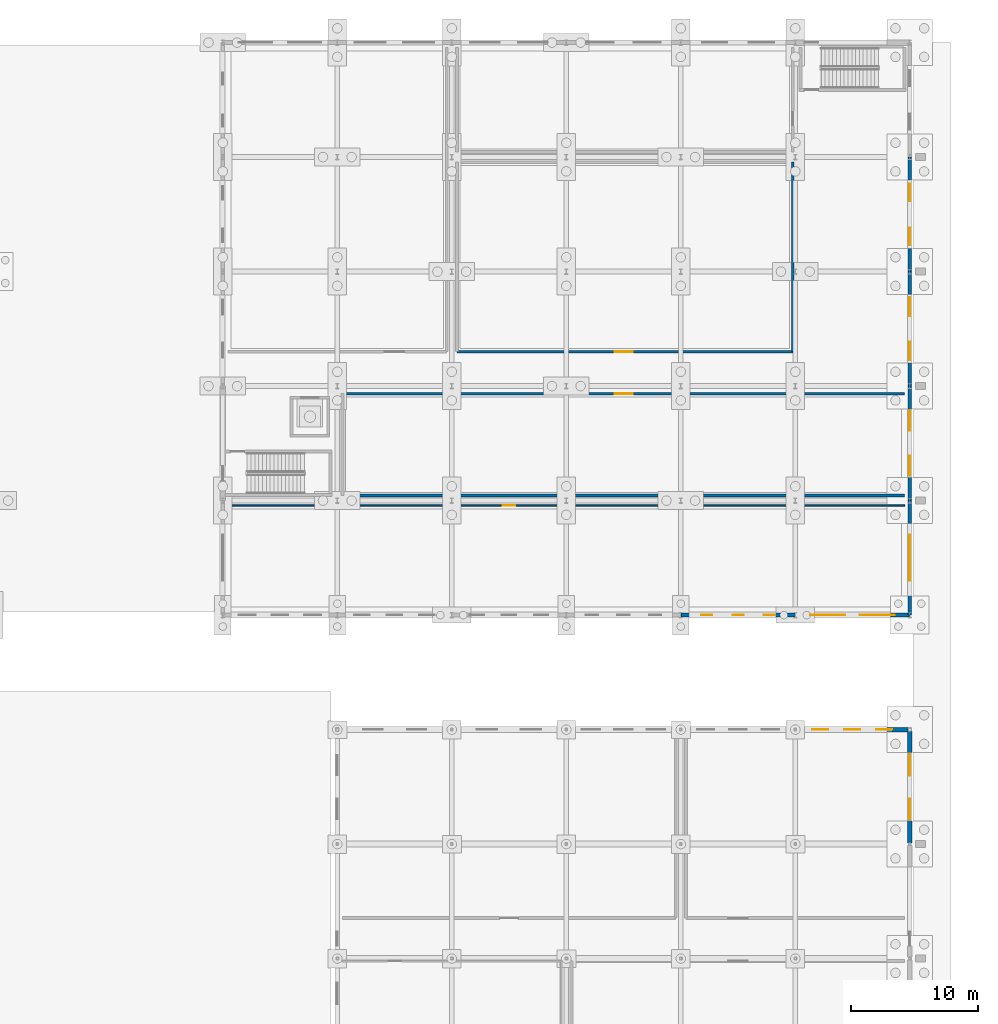
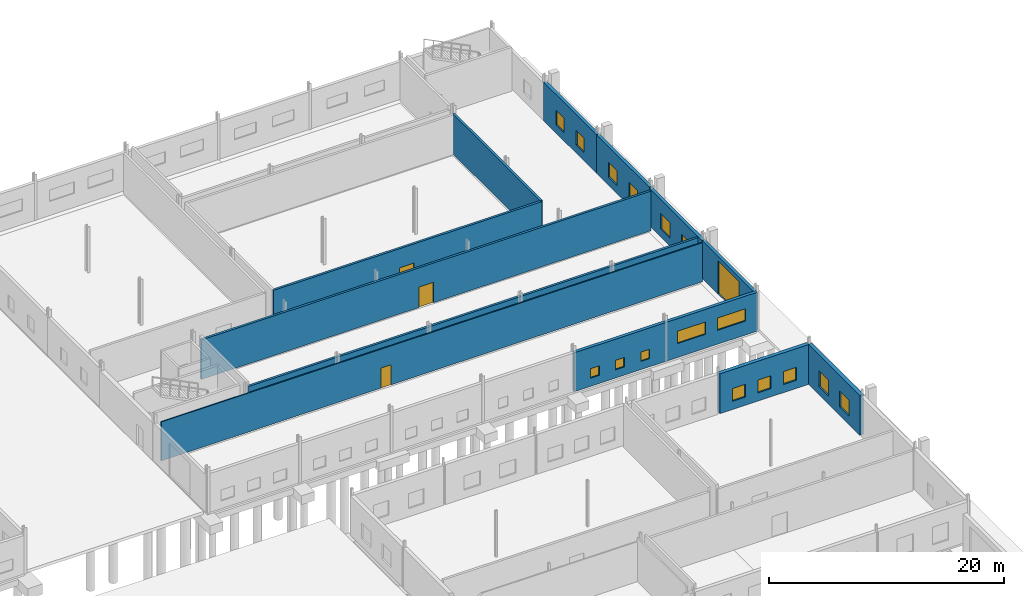
# One storey, part 82 of 112: 16 windows, 13 walls, 4 doors, 20 openings.
"""IFC4 building model written with IfcOpenShell, lengths in metres."""

from ifc_helpers import new_model, si_unit, direction, frame, frame_2d, origin, place, context, subcontext, project, spatial, rectangle, extrude, material, layer, layer_set, type_object, element, fill, save


model = new_model("IFC4")

# Units and contexts
model_context = context("Model", 3, precision=1e-05, world=origin(), true_north=direction((0.0, 1.0)))
body_context = subcontext(model_context, "Body", "Model", "MODEL_VIEW")
ifc_project = project(units=[si_unit("LENGTHUNIT", "METRE"), si_unit("AREAUNIT", "SQUARE_METRE"), si_unit("VOLUMEUNIT", "CUBIC_METRE"), si_unit("PLANEANGLEUNIT", "RADIAN"), si_unit("MASSUNIT", "GRAM", prefix="KILO")], contexts=[model_context])

# Site, building, storey
site_placement = place(None, origin())
site = spatial("IfcSite", under=ifc_project, at=site_placement, CompositionType="ELEMENT")
building_placement = place(site_placement, origin())
building = spatial("IfcBuilding", under=site, at=building_placement, Name="Tharagai Park Tramway Depot", CompositionType="ELEMENT")
storey_placement = place(building_placement, origin())
storey = spatial("IfcBuildingStorey", under=building, at=storey_placement, Name="L00", CompositionType="ELEMENT", Elevation=0.0)

# Wall, openings, windows
ifc_material_1 = material(Name="Concrete M35", Category="concrete")
ifc_layer_1 = layer(ifc_material_1, 0.360107421875)
ifc_layer_set_1 = layer_set([ifc_layer_1], Name="Concrete M35")
wall_type_1 = type_object("IfcWallType", Name="EW-03", PredefinedType="SOLIDWALL", material=ifc_layer_set_1)
wall_1_placement = place(storey_placement, frame((207.095947265625, 81.0, 0.0), z_axis=(0.0, 0.0, 1.0), x_axis=(1.0, 0.0, 0.0)))
wall_1 = element("IfcWall", 1, at=wall_1_placement, inside=storey, type_object=wall_type_1, Name="L00 V6 Exterior Masonry Wall EW-03", PredefinedType="SOLIDWALL", context=body_context, shape_type="SweptSolid", body=[
    extrude(rectangle(XDim=8.77294921875, YDim=0.360107421875, at=frame_2d((4.386474609375, 0.0))), origin(), (0.0, 0.0, 1.0), 4.14208984375),
])
opening_1_placement = place(wall_1_placement, frame((1.23291015625, 0.0, 0.85009765625)))
opening_1 = element("IfcOpeningElement", 2, at=opening_1_placement, cuts=wall_1, Name="Opening WN-43", PredefinedType="OPENING", context=body_context, shape_type="SweptSolid", body=[
    extrude(rectangle(XDim=1.280029296875, YDim=1.340087890625, at=frame_2d((0.64013671875, 0.669921875))), frame((0.0, 0.18994140625, 0.0), z_axis=(0.0, -1.0, 0.0), x_axis=(1.0, 0.0, 0.0)), (0.0, 0.0, 1.0), 0.380126953125),
])
opening_2_placement = place(wall_1_placement, frame((3.74609375, 0.0, 0.85009765625)))
opening_2 = element("IfcOpeningElement", 3, at=opening_2_placement, cuts=wall_1, Name="Opening WN-43", PredefinedType="OPENING", context=body_context, shape_type="SweptSolid", body=[
    extrude(rectangle(XDim=1.280029296875, YDim=1.340087890625, at=frame_2d((0.64013671875, 0.669921875))), frame((0.0, 0.18994140625, 0.0), z_axis=(0.0, -1.0, 0.0), x_axis=(1.0, 0.0, 0.0)), (0.0, 0.0, 1.0), 0.380126953125),
])
opening_3_placement = place(wall_1_placement, frame((6.260009765625, 0.0, 0.85009765625)))
opening_3 = element("IfcOpeningElement", 4, at=opening_3_placement, cuts=wall_1, Name="Opening WN-43", PredefinedType="OPENING", context=body_context, shape_type="SweptSolid", body=[
    extrude(rectangle(XDim=1.280029296875, YDim=1.340087890625, at=frame_2d((0.64013671875, 0.669921875))), frame((0.0, 0.18994140625, 0.0), z_axis=(0.0, -1.0, 0.0), x_axis=(1.0, 0.0, 0.0)), (0.0, 0.0, 1.0), 0.380126953125),
])
ifc_material_2 = material(Name="Laminated solar-control glass", Category="glass")
window_type_1 = type_object("IfcWindowType", Name="WN-43", PartitioningType="SINGLE_PANEL", PredefinedType="WINDOW", material=ifc_material_2)
window_1_placement = place(opening_1_placement, origin())
window_1 = element("IfcWindow", 5, at=window_1_placement, inside=storey, type_object=window_type_1, Name="L00 V6 Gothic Lancet Window WN-43", OverallHeight=1.340087890625, OverallWidth=1.280029296875, PartitioningType="SINGLE_PANEL", PredefinedType="WINDOW", context=body_context, shape_type="SweptSolid", body=[
    extrude(rectangle(XDim=1.280029296875, YDim=1.340087890625, at=frame_2d((0.64013671875, 0.669921875))), frame((0.0, 0.030029296875, 0.0), z_axis=(0.0, -1.0, 0.0), x_axis=(1.0, 0.0, 0.0)), (0.0, 0.0, 1.0), 0.06005859375),
])
fill(opening_1, window_1)
window_2_placement = place(opening_2_placement, origin())
window_2 = element("IfcWindow", 6, at=window_2_placement, inside=storey, type_object=window_type_1, Name="L00 V6 Gothic Lancet Window WN-43", OverallHeight=1.340087890625, OverallWidth=1.280029296875, PartitioningType="SINGLE_PANEL", PredefinedType="WINDOW", context=body_context, shape_type="SweptSolid", body=[
    extrude(rectangle(XDim=1.280029296875, YDim=1.340087890625, at=frame_2d((0.64013671875, 0.669921875))), frame((0.0, 0.030029296875, 0.0), z_axis=(0.0, -1.0, 0.0), x_axis=(1.0, 0.0, 0.0)), (0.0, 0.0, 1.0), 0.06005859375),
])
fill(opening_2, window_2)
window_3_placement = place(opening_3_placement, origin())
window_3 = element("IfcWindow", 7, at=window_3_placement, inside=storey, type_object=window_type_1, Name="L00 V6 Gothic Lancet Window WN-43", OverallHeight=1.340087890625, OverallWidth=1.280029296875, PartitioningType="SINGLE_PANEL", PredefinedType="WINDOW", context=body_context, shape_type="SweptSolid", body=[
    extrude(rectangle(XDim=1.280029296875, YDim=1.340087890625, at=frame_2d((0.64013671875, 0.669921875))), frame((0.0, 0.030029296875, 0.0), z_axis=(0.0, -1.0, 0.0), x_axis=(1.0, 0.0, 0.0)), (0.0, 0.0, 1.0), 0.06005859375),
])
fill(opening_3, window_3)

wall_2_placement = place(storey_placement, frame((216.0, 72.095947265625, 0.0), z_axis=(0.0, 0.0, 1.0), x_axis=(0.0, 1.0, 0.0)))
wall_2 = element("IfcWall", 8, at=wall_2_placement, inside=storey, type_object=wall_type_1, Name="L00 V6 Exterior Masonry Wall EW-03", PredefinedType="SOLIDWALL", context=body_context, shape_type="SweptSolid", body=[
    extrude(rectangle(XDim=8.77294921875, YDim=0.360107421875, at=frame_2d((4.386474609375, 0.0))), origin(), (0.0, 0.0, 1.0), 4.14208984375),
])
opening_4_placement = place(wall_2_placement, frame((1.803955078125, 0.0, 0.85009765625)))
opening_4 = element("IfcOpeningElement", 9, at=opening_4_placement, cuts=wall_2, Name="Opening WN-38", PredefinedType="OPENING", context=body_context, shape_type="SweptSolid", body=[
    extrude(rectangle(XDim=1.679931640625, YDim=1.659912109375, at=frame_2d((0.83984375, 0.830078125))), frame((0.0, 0.18994140625, 0.0), z_axis=(0.0, -1.0, 0.0), x_axis=(1.0, 0.0, 0.0)), (0.0, 0.0, 1.0), 0.380126953125),
])
opening_5_placement = place(wall_2_placement, frame((5.2890625, 0.0, 0.85009765625)))
opening_5 = element("IfcOpeningElement", 10, at=opening_5_placement, cuts=wall_2, Name="Opening WN-38", PredefinedType="OPENING", context=body_context, shape_type="SweptSolid", body=[
    extrude(rectangle(XDim=1.679931640625, YDim=1.659912109375, at=frame_2d((0.83984375, 0.830078125))), frame((0.0, 0.18994140625, 0.0), z_axis=(0.0, -1.0, 0.0), x_axis=(1.0, 0.0, 0.0)), (0.0, 0.0, 1.0), 0.380126953125),
])
window_type_2 = type_object("IfcWindowType", Name="WN-38", PartitioningType="SINGLE_PANEL", PredefinedType="WINDOW", material=ifc_material_2)
window_4_placement = place(opening_4_placement, origin())
window_4 = element("IfcWindow", 11, at=window_4_placement, inside=storey, type_object=window_type_2, Name="L00 V6 Side Lancet Window WN-38", OverallHeight=1.659912109375, OverallWidth=1.679931640625, PartitioningType="SINGLE_PANEL", PredefinedType="WINDOW", context=body_context, shape_type="SweptSolid", body=[
    extrude(rectangle(XDim=1.679931640625, YDim=1.659912109375, at=frame_2d((0.83984375, 0.830078125))), frame((0.0, 0.030029296875, 0.0), z_axis=(0.0, -1.0, 0.0), x_axis=(1.0, 0.0, 0.0)), (0.0, 0.0, 1.0), 0.06005859375),
])
fill(opening_4, window_4)
window_5_placement = place(opening_5_placement, origin())
window_5 = element("IfcWindow", 12, at=window_5_placement, inside=storey, type_object=window_type_2, Name="L00 V6 Side Lancet Window WN-38", OverallHeight=1.659912109375, OverallWidth=1.679931640625, PartitioningType="SINGLE_PANEL", PredefinedType="WINDOW", context=body_context, shape_type="SweptSolid", body=[
    extrude(rectangle(XDim=1.679931640625, YDim=1.659912109375, at=frame_2d((0.83984375, 0.830078125))), frame((0.0, 0.030029296875, 0.0), z_axis=(0.0, -1.0, 0.0), x_axis=(1.0, 0.0, 0.0)), (0.0, 0.0, 1.0), 0.06005859375),
])
fill(opening_5, window_5)

ifc_material_3 = material(Name="Pressed clay brick", Category="masonry")
ifc_layer_2 = layer(ifc_material_3, 0.300048828125)
ifc_layer_set_2 = layer_set([ifc_layer_2], Name="Pressed clay brick")
wall_type_2 = type_object("IfcWallType", Name="EW-08", PredefinedType="SOLIDWALL", material=ifc_layer_set_2)
wall_3_placement = place(storey_placement, frame((198.00390625, 90.0, 0.0), z_axis=(0.0, 0.0, 1.0), x_axis=(1.0, 0.0, 0.0)))
wall_3 = element("IfcWall", 13, at=wall_3_placement, inside=storey, type_object=wall_type_2, Name="L00 V3 Exterior Masonry Wall EW-08", PredefinedType="SOLIDWALL", context=body_context, shape_type="SweptSolid", body=[
    extrude(rectangle(XDim=8.9921875, YDim=0.300048828125, at=frame_2d((4.49609375, 0.0))), origin(), (0.0, 0.0, 1.0), 4.0419921875),
])
opening_6_placement = place(wall_3_placement, frame((1.60302734375, 0.0, 0.85009765625)))
opening_6 = element("IfcOpeningElement", 14, at=opening_6_placement, cuts=wall_3, Name="Opening WN-06", PredefinedType="OPENING", context=body_context, shape_type="SweptSolid", body=[
    extrude(rectangle(XDim=0.860107421875, YDim=0.97998046875, at=frame_2d((0.43017578125, 0.489990234375))), frame((0.0, 0.159912109375, 0.0), z_axis=(0.0, -1.0, 0.0), x_axis=(1.0, 0.0, 0.0)), (0.0, 0.0, 1.0), 0.320068359375),
])
opening_7_placement = place(wall_3_placement, frame((4.06591796875, 0.0, 0.85009765625)))
opening_7 = element("IfcOpeningElement", 15, at=opening_7_placement, cuts=wall_3, Name="Opening WN-06", PredefinedType="OPENING", context=body_context, shape_type="SweptSolid", body=[
    extrude(rectangle(XDim=0.860107421875, YDim=0.97998046875, at=frame_2d((0.43017578125, 0.489990234375))), frame((0.0, 0.159912109375, 0.0), z_axis=(0.0, -1.0, 0.0), x_axis=(1.0, 0.0, 0.0)), (0.0, 0.0, 1.0), 0.320068359375),
])
opening_8_placement = place(wall_3_placement, frame((6.529052734375, 0.0, 0.85009765625)))
opening_8 = element("IfcOpeningElement", 16, at=opening_8_placement, cuts=wall_3, Name="Opening WN-06", PredefinedType="OPENING", context=body_context, shape_type="SweptSolid", body=[
    extrude(rectangle(XDim=0.860107421875, YDim=0.97998046875, at=frame_2d((0.43017578125, 0.489990234375))), frame((0.0, 0.159912109375, 0.0), z_axis=(0.0, -1.0, 0.0), x_axis=(1.0, 0.0, 0.0)), (0.0, 0.0, 1.0), 0.320068359375),
])
window_type_3 = type_object("IfcWindowType", Name="WN-06", PartitioningType="SINGLE_PANEL", PredefinedType="WINDOW", material=ifc_material_2)
window_6_placement = place(opening_6_placement, origin())
window_6 = element("IfcWindow", 17, at=window_6_placement, inside=storey, type_object=window_type_3, Name="L00 V3 Gothic Lancet Window WN-06", OverallHeight=0.97998046875, OverallWidth=0.860107421875, PartitioningType="SINGLE_PANEL", PredefinedType="WINDOW", context=body_context, shape_type="SweptSolid", body=[
    extrude(rectangle(XDim=0.860107421875, YDim=0.97998046875, at=frame_2d((0.43017578125, 0.489990234375))), frame((0.0, 0.030029296875, 0.0), z_axis=(0.0, -1.0, 0.0), x_axis=(1.0, 0.0, 0.0)), (0.0, 0.0, 1.0), 0.06005859375),
])
fill(opening_6, window_6)
window_7_placement = place(opening_7_placement, origin())
window_7 = element("IfcWindow", 18, at=window_7_placement, inside=storey, type_object=window_type_3, Name="L00 V3 Gothic Lancet Window WN-06", OverallHeight=0.97998046875, OverallWidth=0.860107421875, PartitioningType="SINGLE_PANEL", PredefinedType="WINDOW", context=body_context, shape_type="SweptSolid", body=[
    extrude(rectangle(XDim=0.860107421875, YDim=0.97998046875, at=frame_2d((0.43017578125, 0.489990234375))), frame((0.0, 0.030029296875, 0.0), z_axis=(0.0, -1.0, 0.0), x_axis=(1.0, 0.0, 0.0)), (0.0, 0.0, 1.0), 0.06005859375),
])
fill(opening_7, window_7)
window_8_placement = place(opening_8_placement, origin())
window_8 = element("IfcWindow", 19, at=window_8_placement, inside=storey, type_object=window_type_3, Name="L00 V3 Gothic Lancet Window WN-06", OverallHeight=0.97998046875, OverallWidth=0.860107421875, PartitioningType="SINGLE_PANEL", PredefinedType="WINDOW", context=body_context, shape_type="SweptSolid", body=[
    extrude(rectangle(XDim=0.860107421875, YDim=0.97998046875, at=frame_2d((0.43017578125, 0.489990234375))), frame((0.0, 0.030029296875, 0.0), z_axis=(0.0, -1.0, 0.0), x_axis=(1.0, 0.0, 0.0)), (0.0, 0.0, 1.0), 0.06005859375),
])
fill(opening_8, window_8)

wall_4_placement = place(storey_placement, frame((207.00390625, 90.0, 0.0), z_axis=(0.0, 0.0, 1.0), x_axis=(1.0, 0.0, 0.0)))
wall_4 = element("IfcWall", 20, at=wall_4_placement, inside=storey, type_object=wall_type_2, Name="L00 V3 Exterior Masonry Wall EW-08", PredefinedType="SOLIDWALL", context=body_context, shape_type="SweptSolid", body=[
    extrude(rectangle(XDim=8.9921875, YDim=0.300048828125, at=frame_2d((4.49609375, 0.0))), origin(), (0.0, 0.0, 1.0), 4.0419921875),
])
opening_9_placement = place(wall_4_placement, frame((1.1640625, 0.0, 1.449951171875)))
opening_9 = element("IfcOpeningElement", 21, at=opening_9_placement, cuts=wall_4, Name="Opening WN-40", PredefinedType="OPENING", context=body_context, shape_type="SweptSolid", body=[
    extrude(rectangle(XDim=2.75, YDim=1.280029296875, at=frame_2d((1.375, 0.64013671875))), frame((0.0, 0.159912109375, 0.0), z_axis=(0.0, -1.0, 0.0), x_axis=(1.0, 0.0, 0.0)), (0.0, 0.0, 1.0), 0.320068359375),
])
opening_10_placement = place(wall_4_placement, frame((5.077880859375, 0.0, 1.449951171875)))
opening_10 = element("IfcOpeningElement", 22, at=opening_10_placement, cuts=wall_4, Name="Opening WN-40", PredefinedType="OPENING", context=body_context, shape_type="SweptSolid", body=[
    extrude(rectangle(XDim=2.75, YDim=1.280029296875, at=frame_2d((1.375, 0.64013671875))), frame((0.0, 0.159912109375, 0.0), z_axis=(0.0, -1.0, 0.0), x_axis=(1.0, 0.0, 0.0)), (0.0, 0.0, 1.0), 0.320068359375),
])
window_type_4 = type_object("IfcWindowType", Name="WN-40", PartitioningType="SINGLE_PANEL", PredefinedType="WINDOW", material=ifc_material_2)
window_9_placement = place(opening_9_placement, origin())
window_9 = element("IfcWindow", 23, at=window_9_placement, inside=storey, type_object=window_type_4, Name="L00 V3 Gothic Lancet Window WN-40", OverallHeight=1.280029296875, OverallWidth=2.75, PartitioningType="SINGLE_PANEL", PredefinedType="WINDOW", context=body_context, shape_type="SweptSolid", body=[
    extrude(rectangle(XDim=2.75, YDim=1.280029296875, at=frame_2d((1.375, 0.64013671875))), frame((0.0, 0.030029296875, 0.0), z_axis=(0.0, -1.0, 0.0), x_axis=(1.0, 0.0, 0.0)), (0.0, 0.0, 1.0), 0.06005859375),
])
fill(opening_9, window_9)
window_10_placement = place(opening_10_placement, origin())
window_10 = element("IfcWindow", 24, at=window_10_placement, inside=storey, type_object=window_type_4, Name="L00 V3 Gothic Lancet Window WN-40", OverallHeight=1.280029296875, OverallWidth=2.75, PartitioningType="SINGLE_PANEL", PredefinedType="WINDOW", context=body_context, shape_type="SweptSolid", body=[
    extrude(rectangle(XDim=2.75, YDim=1.280029296875, at=frame_2d((1.375, 0.64013671875))), frame((0.0, 0.030029296875, 0.0), z_axis=(0.0, -1.0, 0.0), x_axis=(1.0, 0.0, 0.0)), (0.0, 0.0, 1.0), 0.06005859375),
])
fill(opening_10, window_10)

# Wall, opening, door
wall_5_placement = place(storey_placement, frame((216.0, 90.00390625, 0.0), z_axis=(0.0, 0.0, 1.0), x_axis=(0.0, 1.0, 0.0)))
wall_5 = element("IfcWall", 25, at=wall_5_placement, inside=storey, type_object=wall_type_2, Name="L00 V3 Exterior Masonry Wall EW-08", PredefinedType="SOLIDWALL", context=body_context, shape_type="SweptSolid", body=[
    extrude(rectangle(XDim=8.9921875, YDim=0.300048828125, at=frame_2d((4.49609375, 0.0))), origin(), (0.0, 0.0, 1.0), 3.912109375),
])
opening_11_placement = place(wall_5_placement, frame((2.696044921875, 0.0, 0.0)))
opening_11 = element("IfcOpeningElement", 26, at=opening_11_placement, cuts=wall_5, Name="Opening VG-02", PredefinedType="OPENING", context=body_context, shape_type="SweptSolid", body=[
    extrude(rectangle(XDim=3.60009765625, YDim=3.449951171875, at=frame_2d((1.800048828125, 1.72509765625))), frame((0.0, 0.159912109375, 0.0), z_axis=(0.0, -1.0, 0.0), x_axis=(1.0, 0.0, 0.0)), (0.0, 0.0, 1.0), 0.320068359375),
])
ifc_material_4 = material(Name="Galvanised steel", Category="steel")
door_type_1 = type_object("IfcDoorType", Name="VG-02", OperationType="ROLLINGUP", PredefinedType="GATE", material=ifc_material_4)
door_1_placement = place(opening_11_placement, frame((3.60009765625, 0.0, 0.0), z_axis=(0.0, 0.0, 1.0), x_axis=(-1.0, 0.0, 0.0)))
door_1 = element("IfcDoor", 27, at=door_1_placement, inside=storey, type_object=door_type_1, Name="V3 Rolling-Stock Shutter Gate VG-02", OperationType="ROLLINGUP", OverallHeight=3.449951171875, OverallWidth=3.60009765625, PredefinedType="GATE", context=body_context, shape_type="SweptSolid", body=[
    extrude(rectangle(XDim=3.60009765625, YDim=3.449951171875, at=frame_2d((1.800048828125, 1.72509765625))), frame((0.0, 0.02490234375, 0.0), z_axis=(0.0, -1.0, 0.0), x_axis=(1.0, 0.0, 0.0)), (0.0, 0.0, 1.0), 0.050048828125),
])
fill(opening_11, door_1)

# Wall, openings, windows
wall_6_placement = place(storey_placement, frame((216.0, 99.00390625, 0.0), z_axis=(0.0, 0.0, 1.0), x_axis=(0.0, 1.0, 0.0)))
wall_6 = element("IfcWall", 28, at=wall_6_placement, inside=storey, type_object=wall_type_2, Name="L00 V3 Exterior Masonry Wall EW-08", PredefinedType="SOLIDWALL", context=body_context, shape_type="SweptSolid", body=[
    extrude(rectangle(XDim=8.9921875, YDim=0.300048828125, at=frame_2d((4.49609375, 0.0))), origin(), (0.0, 0.0, 1.0), 3.912109375),
])
opening_12_placement = place(wall_6_placement, frame((1.944091796875, 0.0, 0.85009765625)))
opening_12 = element("IfcOpeningElement", 29, at=opening_12_placement, cuts=wall_6, Name="Opening WN-33", PredefinedType="OPENING", context=body_context, shape_type="SweptSolid", body=[
    extrude(rectangle(XDim=1.580078125, YDim=1.60009765625, at=frame_2d((0.7900390625, 0.800048828125))), frame((0.0, 0.159912109375, 0.0), z_axis=(0.0, -1.0, 0.0), x_axis=(1.0, 0.0, 0.0)), (0.0, 0.0, 1.0), 0.320068359375),
])
opening_13_placement = place(wall_6_placement, frame((5.468017578125, 0.0, 0.85009765625)))
opening_13 = element("IfcOpeningElement", 30, at=opening_13_placement, cuts=wall_6, Name="Opening WN-33", PredefinedType="OPENING", context=body_context, shape_type="SweptSolid", body=[
    extrude(rectangle(XDim=1.580078125, YDim=1.60009765625, at=frame_2d((0.7900390625, 0.800048828125))), frame((0.0, 0.159912109375, 0.0), z_axis=(0.0, -1.0, 0.0), x_axis=(1.0, 0.0, 0.0)), (0.0, 0.0, 1.0), 0.320068359375),
])
window_type_5 = type_object("IfcWindowType", Name="WN-33", PartitioningType="SINGLE_PANEL", PredefinedType="WINDOW", material=ifc_material_2)
window_11_placement = place(opening_12_placement, origin())
window_11 = element("IfcWindow", 31, at=window_11_placement, inside=storey, type_object=window_type_5, Name="L00 V3 Side Lancet Window WN-33", OverallHeight=1.60009765625, OverallWidth=1.580078125, PartitioningType="SINGLE_PANEL", PredefinedType="WINDOW", context=body_context, shape_type="SweptSolid", body=[
    extrude(rectangle(XDim=1.580078125, YDim=1.60009765625, at=frame_2d((0.7900390625, 0.800048828125))), frame((0.0, 0.030029296875, 0.0), z_axis=(0.0, -1.0, 0.0), x_axis=(1.0, 0.0, 0.0)), (0.0, 0.0, 1.0), 0.06005859375),
])
fill(opening_12, window_11)
window_12_placement = place(opening_13_placement, origin())
window_12 = element("IfcWindow", 32, at=window_12_placement, inside=storey, type_object=window_type_5, Name="L00 V3 Side Lancet Window WN-33", OverallHeight=1.60009765625, OverallWidth=1.580078125, PartitioningType="SINGLE_PANEL", PredefinedType="WINDOW", context=body_context, shape_type="SweptSolid", body=[
    extrude(rectangle(XDim=1.580078125, YDim=1.60009765625, at=frame_2d((0.7900390625, 0.800048828125))), frame((0.0, 0.030029296875, 0.0), z_axis=(0.0, -1.0, 0.0), x_axis=(1.0, 0.0, 0.0)), (0.0, 0.0, 1.0), 0.06005859375),
])
fill(opening_13, window_12)

wall_7_placement = place(storey_placement, frame((216.0, 108.00390625, 0.0), z_axis=(0.0, 0.0, 1.0), x_axis=(0.0, 1.0, 0.0)))
wall_7 = element("IfcWall", 33, at=wall_7_placement, inside=storey, type_object=wall_type_2, Name="L00 V3 Exterior Masonry Wall EW-08", PredefinedType="SOLIDWALL", context=body_context, shape_type="SweptSolid", body=[
    extrude(rectangle(XDim=8.9921875, YDim=0.300048828125, at=frame_2d((4.49609375, 0.0))), origin(), (0.0, 0.0, 1.0), 4.011962890625),
])
opening_14_placement = place(wall_7_placement, frame((2.010986328125, 0.0, 0.85009765625)))
opening_14 = element("IfcOpeningElement", 34, at=opening_14_placement, cuts=wall_7, Name="Opening WN-03", PredefinedType="OPENING", context=body_context, shape_type="SweptSolid", body=[
    extrude(rectangle(XDim=1.47998046875, YDim=1.56005859375, at=frame_2d((0.739990234375, 0.780029296875))), frame((0.0, 0.159912109375, 0.0), z_axis=(0.0, -1.0, 0.0), x_axis=(1.0, 0.0, 0.0)), (0.0, 0.0, 1.0), 0.320068359375),
])
opening_15_placement = place(wall_7_placement, frame((5.5009765625, 0.0, 0.85009765625)))
opening_15 = element("IfcOpeningElement", 35, at=opening_15_placement, cuts=wall_7, Name="Opening WN-03", PredefinedType="OPENING", context=body_context, shape_type="SweptSolid", body=[
    extrude(rectangle(XDim=1.47998046875, YDim=1.56005859375, at=frame_2d((0.739990234375, 0.780029296875))), frame((0.0, 0.159912109375, 0.0), z_axis=(0.0, -1.0, 0.0), x_axis=(1.0, 0.0, 0.0)), (0.0, 0.0, 1.0), 0.320068359375),
])
window_type_6 = type_object("IfcWindowType", Name="WN-03", PartitioningType="SINGLE_PANEL", PredefinedType="WINDOW", material=ifc_material_2)
window_13_placement = place(opening_14_placement, origin())
window_13 = element("IfcWindow", 36, at=window_13_placement, inside=storey, type_object=window_type_6, Name="L00 V3 Side Lancet Window WN-03", OverallHeight=1.56005859375, OverallWidth=1.47998046875, PartitioningType="SINGLE_PANEL", PredefinedType="WINDOW", context=body_context, shape_type="SweptSolid", body=[
    extrude(rectangle(XDim=1.47998046875, YDim=1.56005859375, at=frame_2d((0.739990234375, 0.780029296875))), frame((0.0, 0.030029296875, 0.0), z_axis=(0.0, -1.0, 0.0), x_axis=(1.0, 0.0, 0.0)), (0.0, 0.0, 1.0), 0.06005859375),
])
fill(opening_14, window_13)
window_14_placement = place(opening_15_placement, origin())
window_14 = element("IfcWindow", 37, at=window_14_placement, inside=storey, type_object=window_type_6, Name="L00 V3 Side Lancet Window WN-03", OverallHeight=1.56005859375, OverallWidth=1.47998046875, PartitioningType="SINGLE_PANEL", PredefinedType="WINDOW", context=body_context, shape_type="SweptSolid", body=[
    extrude(rectangle(XDim=1.47998046875, YDim=1.56005859375, at=frame_2d((0.739990234375, 0.780029296875))), frame((0.0, 0.030029296875, 0.0), z_axis=(0.0, -1.0, 0.0), x_axis=(1.0, 0.0, 0.0)), (0.0, 0.0, 1.0), 0.06005859375),
])
fill(opening_15, window_14)

wall_8_placement = place(storey_placement, frame((216.0, 117.00390625, 0.0), z_axis=(0.0, 0.0, 1.0), x_axis=(0.0, 1.0, 0.0)))
wall_8 = element("IfcWall", 38, at=wall_8_placement, inside=storey, type_object=wall_type_2, Name="L00 V3 Exterior Masonry Wall EW-08", PredefinedType="SOLIDWALL", context=body_context, shape_type="SweptSolid", body=[
    extrude(rectangle(XDim=8.9921875, YDim=0.300048828125, at=frame_2d((4.49609375, 0.0))), origin(), (0.0, 0.0, 1.0), 4.011962890625),
])
opening_16_placement = place(wall_8_placement, frame((2.076904296875, 0.0, 0.85009765625)))
opening_16 = element("IfcOpeningElement", 39, at=opening_16_placement, cuts=wall_8, Name="Opening WN-12", PredefinedType="OPENING", context=body_context, shape_type="SweptSolid", body=[
    extrude(rectangle(XDim=1.3798828125, YDim=1.52001953125, at=frame_2d((0.68994140625, 0.760009765625))), frame((0.0, 0.159912109375, 0.0), z_axis=(0.0, -1.0, 0.0), x_axis=(1.0, 0.0, 0.0)), (0.0, 0.0, 1.0), 0.320068359375),
])
opening_17_placement = place(wall_8_placement, frame((5.534912109375, 0.0, 0.85009765625)))
opening_17 = element("IfcOpeningElement", 40, at=opening_17_placement, cuts=wall_8, Name="Opening WN-12", PredefinedType="OPENING", context=body_context, shape_type="SweptSolid", body=[
    extrude(rectangle(XDim=1.3798828125, YDim=1.52001953125, at=frame_2d((0.68994140625, 0.760009765625))), frame((0.0, 0.159912109375, 0.0), z_axis=(0.0, -1.0, 0.0), x_axis=(1.0, 0.0, 0.0)), (0.0, 0.0, 1.0), 0.320068359375),
])
window_type_7 = type_object("IfcWindowType", Name="WN-12", PartitioningType="SINGLE_PANEL", PredefinedType="WINDOW", material=ifc_material_2)
window_15_placement = place(opening_16_placement, origin())
window_15 = element("IfcWindow", 41, at=window_15_placement, inside=storey, type_object=window_type_7, Name="L00 V3 Side Lancet Window WN-12", OverallHeight=1.52001953125, OverallWidth=1.3798828125, PartitioningType="SINGLE_PANEL", PredefinedType="WINDOW", context=body_context, shape_type="SweptSolid", body=[
    extrude(rectangle(XDim=1.3798828125, YDim=1.52001953125, at=frame_2d((0.68994140625, 0.760009765625))), frame((0.0, 0.030029296875, 0.0), z_axis=(0.0, -1.0, 0.0), x_axis=(1.0, 0.0, 0.0)), (0.0, 0.0, 1.0), 0.06005859375),
])
fill(opening_16, window_15)
window_16_placement = place(opening_17_placement, origin())
window_16 = element("IfcWindow", 42, at=window_16_placement, inside=storey, type_object=window_type_7, Name="L00 V3 Side Lancet Window WN-12", OverallHeight=1.52001953125, OverallWidth=1.3798828125, PartitioningType="SINGLE_PANEL", PredefinedType="WINDOW", context=body_context, shape_type="SweptSolid", body=[
    extrude(rectangle(XDim=1.3798828125, YDim=1.52001953125, at=frame_2d((0.68994140625, 0.760009765625))), frame((0.0, 0.030029296875, 0.0), z_axis=(0.0, -1.0, 0.0), x_axis=(1.0, 0.0, 0.0)), (0.0, 0.0, 1.0), 0.06005859375),
])
fill(opening_17, window_16)

# Wall, opening, door
ifc_material_5 = material(Name="Gypsum board", Category="gypsum")
ifc_layer_3 = layer(ifc_material_5, 0.1201171875)
ifc_layer_set_3 = layer_set([ifc_layer_3], Name="Gypsum board")
wall_type_3 = type_object("IfcWallType", Name="IW-03", PredefinedType="PARTITIONING", material=ifc_layer_set_3)
wall_9_placement = place(storey_placement, frame((162.39990234375, 98.60009765625, 0.0), z_axis=(0.0, 0.0, 1.0), x_axis=(1.0, 0.0, 0.0)))
wall_9 = element("IfcWall", 43, at=wall_9_placement, inside=storey, type_object=wall_type_3, Name="Automated Tram and Bus Washing Plant Partition North", PredefinedType="PARTITIONING", context=body_context, shape_type="SweptSolid", body=[
    extrude(rectangle(XDim=53.2001953125, YDim=0.1201171875, at=frame_2d((26.60009765625, 0.0))), origin(), (0.0, 0.0, 1.0), 4.044921875),
])
opening_18_placement = place(wall_9_placement, frame((21.610107421875, 0.0, 0.0)))
opening_18 = element("IfcOpeningElement", 44, at=opening_18_placement, cuts=wall_9, Name="Opening ID-02", PredefinedType="OPENING", context=body_context, shape_type="SweptSolid", body=[
    extrude(rectangle(XDim=0.97998046875, YDim=2.080078125, at=frame_2d((0.489990234375, 1.0400390625))), frame((0.0, 0.070068359375, 0.0), z_axis=(0.0, -1.0, 0.0), x_axis=(1.0, 0.0, 0.0)), (0.0, 0.0, 1.0), 0.14013671875),
])
ifc_material_6 = material(Name="Pressed timber", Category="wood")
door_type_2 = type_object("IfcDoorType", Name="ID-02", OperationType="NOTDEFINED", PredefinedType="DOOR", material=ifc_material_6)
door_2_placement = place(opening_18_placement, origin())
door_2 = element("IfcDoor", 45, at=door_2_placement, inside=storey, type_object=door_type_2, Name="Automated Tram and Bus Washing Plant Door", OperationType="SINGLE_SWING_LEFT", OverallHeight=2.080078125, OverallWidth=0.97998046875, PredefinedType="DOOR", context=body_context, shape_type="SweptSolid", body=[
    extrude(rectangle(XDim=0.97998046875, YDim=2.080078125, at=frame_2d((0.489990234375, 1.0400390625))), frame((0.0, 0.02490234375, 0.0), z_axis=(0.0, -1.0, 0.0), x_axis=(1.0, 0.0, 0.0)), (0.0, 0.0, 1.0), 0.050048828125),
])
fill(opening_18, door_2)

# Wall
ifc_layer_4 = layer(ifc_material_3, 0.219970703125)
ifc_layer_set_4 = layer_set([ifc_layer_4], Name="Pressed clay brick")
wall_type_4 = type_object("IfcWallType", Name="IW-05", PredefinedType="SOLIDWALL", material=ifc_layer_set_4)
wall_10_placement = place(storey_placement, frame((171.39990234375, 99.39990234375, 0.0), z_axis=(0.0, 0.0, 1.0), x_axis=(1.0, 0.0, 0.0)))
element("IfcWall", 46, at=wall_10_placement, inside=storey, type_object=wall_type_4, Name="Wash Booster Pump Room Partition South", PredefinedType="SOLIDWALL", context=body_context, shape_type="SweptSolid", body=[
    extrude(rectangle(XDim=44.2001953125, YDim=0.219970703125, at=frame_2d((22.10009765625, 0.0))), origin(), (0.0, 0.0, 1.0), 4.114990234375),
])

# Wall, opening, door
wall_11_placement = place(storey_placement, frame((171.39990234375, 107.39990234375, 0.0), z_axis=(0.0, 0.0, 1.0), x_axis=(1.0, 0.0, 0.0)))
wall_11 = element("IfcWall", 47, at=wall_11_placement, inside=storey, type_object=wall_type_4, Name="Wash Booster Pump Room Partition North", PredefinedType="SOLIDWALL", context=body_context, shape_type="SweptSolid", body=[
    extrude(rectangle(XDim=44.2001953125, YDim=0.219970703125, at=frame_2d((22.10009765625, 0.0))), origin(), (0.0, 0.0, 1.0), 4.114990234375),
])
opening_19_placement = place(wall_11_placement, frame((21.389892578125, 0.0, 0.0)))
opening_19 = element("IfcOpeningElement", 48, at=opening_19_placement, cuts=wall_11, Name="Opening ID-06", PredefinedType="OPENING", context=body_context, shape_type="SweptSolid", body=[
    extrude(rectangle(XDim=1.419921875, YDim=2.1201171875, at=frame_2d((0.7099609375, 1.06005859375))), frame((0.0, 0.119873046875, 0.0), z_axis=(0.0, -1.0, 0.0), x_axis=(1.0, 0.0, 0.0)), (0.0, 0.0, 1.0), 0.239990234375),
])
door_type_3 = type_object("IfcDoorType", Name="ID-06", OperationType="DOUBLE_SWING_LEFT", PredefinedType="DOOR", material=ifc_material_4)
door_3_placement = place(opening_19_placement, origin())
door_3 = element("IfcDoor", 49, at=door_3_placement, inside=storey, type_object=door_type_3, Name="Wash Booster Pump Room Door", OperationType="DOUBLE_SWING_LEFT", OverallHeight=2.1201171875, OverallWidth=1.419921875, PredefinedType="DOOR", context=body_context, shape_type="SweptSolid", body=[
    extrude(rectangle(XDim=1.419921875, YDim=2.1201171875, at=frame_2d((0.7099609375, 1.06005859375))), frame((0.0, 0.02490234375, 0.0), z_axis=(0.0, -1.0, 0.0), x_axis=(1.0, 0.0, 0.0)), (0.0, 0.0, 1.0), 0.050048828125),
])
fill(opening_19, door_3)

wall_12_placement = place(storey_placement, frame((180.39990234375, 110.699951171875, 0.0), z_axis=(0.0, 0.0, 1.0), x_axis=(1.0, 0.0, 0.0)))
wall_12 = element("IfcWall", 50, at=wall_12_placement, inside=storey, type_object=wall_type_4, Name="Effluent Water-Reclamation Plant Partition South", PredefinedType="SOLIDWALL", context=body_context, shape_type="SweptSolid", body=[
    extrude(rectangle(XDim=26.400146484375, YDim=0.219970703125, at=frame_2d((13.2001953125, 0.0))), origin(), (0.0, 0.0, 1.0), 4.114990234375),
])
opening_20_placement = place(wall_12_placement, frame((12.389892578125, 0.0, 0.0)))
opening_20 = element("IfcOpeningElement", 51, at=opening_20_placement, cuts=wall_12, Name="Opening ID-06", PredefinedType="OPENING", context=body_context, shape_type="SweptSolid", body=[
    extrude(rectangle(XDim=1.419921875, YDim=2.1201171875, at=frame_2d((0.7099609375, 1.06005859375))), frame((0.0, 0.119873046875, 0.0), z_axis=(0.0, -1.0, 0.0), x_axis=(1.0, 0.0, 0.0)), (0.0, 0.0, 1.0), 0.239990234375),
])
door_4_placement = place(opening_20_placement, frame((1.419921875, 0.0, 0.0), z_axis=(0.0, 0.0, 1.0), x_axis=(-1.0, 0.0, 0.0)))
door_4 = element("IfcDoor", 52, at=door_4_placement, inside=storey, type_object=door_type_3, Name="Effluent Water-Reclamation Plant Door", OperationType="DOUBLE_SWING_LEFT", OverallHeight=2.1201171875, OverallWidth=1.419921875, PredefinedType="DOOR", context=body_context, shape_type="SweptSolid", body=[
    extrude(rectangle(XDim=1.419921875, YDim=2.1201171875, at=frame_2d((0.7099609375, 1.06005859375))), frame((0.0, 0.02490234375, 0.0), z_axis=(0.0, -1.0, 0.0), x_axis=(1.0, 0.0, 0.0)), (0.0, 0.0, 1.0), 0.050048828125),
])
fill(opening_20, door_4)

# Wall
wall_13_placement = place(storey_placement, frame((206.800048828125, 110.699951171875, 0.0), z_axis=(0.0, 0.0, 1.0), x_axis=(0.0, 1.0, 0.0)))
element("IfcWall", 53, at=wall_13_placement, inside=storey, type_object=wall_type_4, Name="Effluent Water-Reclamation Plant Partition East", PredefinedType="SOLIDWALL", context=body_context, shape_type="SweptSolid", body=[
    extrude(rectangle(XDim=14.900146484375, YDim=0.219970703125, at=frame_2d((7.4501953125, 0.0))), origin(), (0.0, 0.0, 1.0), 4.1650390625),
])

save(model, "model.ifc")
